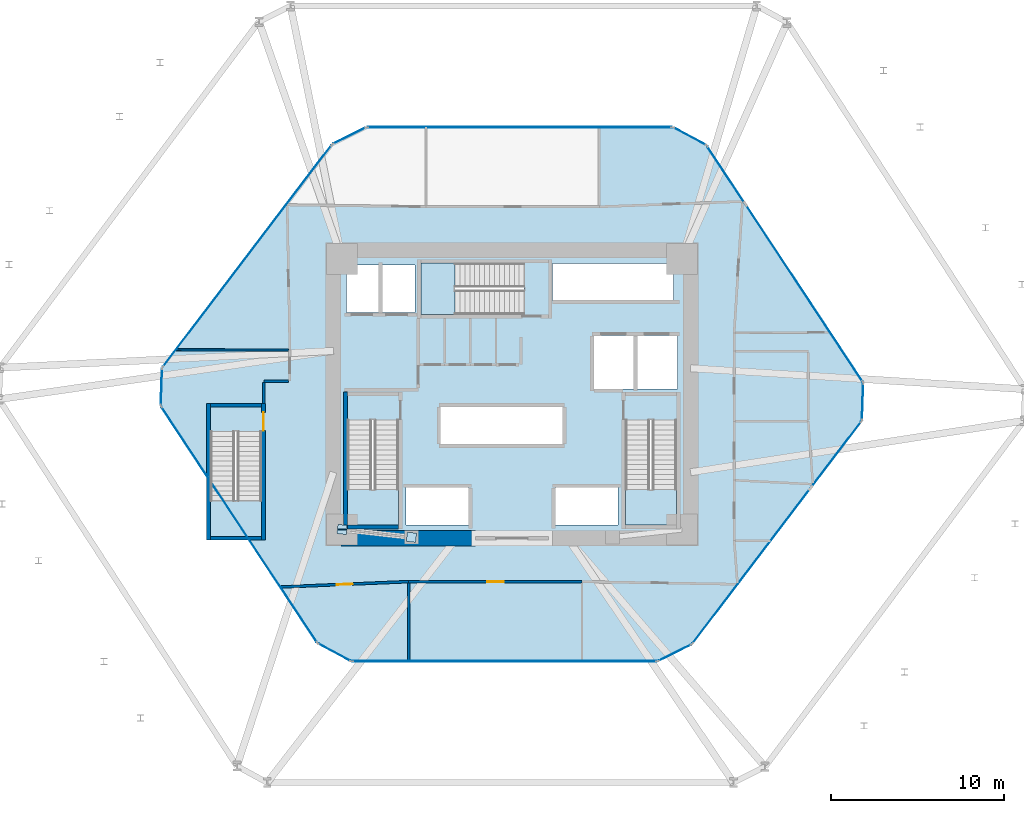
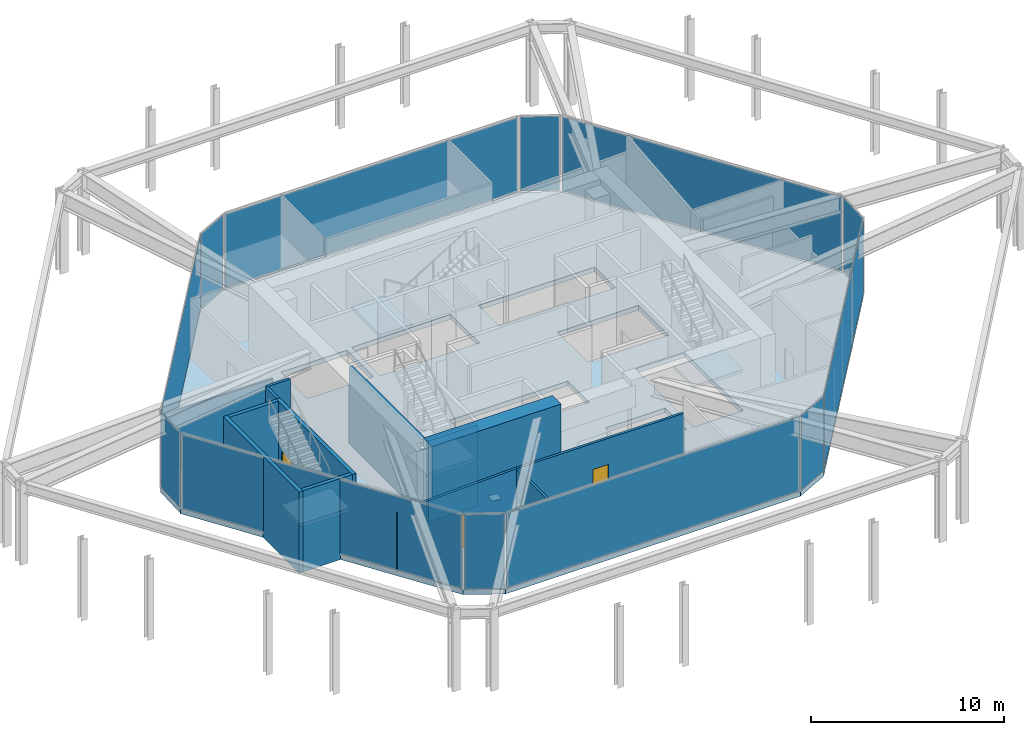
# One storey, part 12 of 16: 15 plates, 13 walls, 5 slabs, 3 doors, 3 openings, 16 elements without a shape of their own.
"""IFC4 building model written with IfcOpenShell, lengths in metres."""

from ifc_helpers import new_model, si_unit, direction, frame, frame_2d, origin, origin_2d, place, context, subcontext, project, spatial, polyline, rectangle, outline, extrude, source, transform, mapped, material, layer, layer_set, type_object, type_shapes, element, fill, aggregate, save


model = new_model("IFC4")

# Units and contexts
model_context = context("Model", 3, precision=1e-05, world=origin(), true_north=direction((0.0, 1.0)))
body_context = subcontext(model_context, "Body", "Model", "MODEL_VIEW")
ifc_project = project(units=[si_unit("LENGTHUNIT", "METRE"), si_unit("AREAUNIT", "SQUARE_METRE"), si_unit("VOLUMEUNIT", "CUBIC_METRE"), si_unit("PLANEANGLEUNIT", "RADIAN"), si_unit("MASSUNIT", "GRAM", prefix="KILO")], contexts=[model_context])

# Site, building, storey
site_placement = place(None, origin())
site = spatial("IfcSite", under=ifc_project, at=site_placement, CompositionType="ELEMENT")
building_placement = place(site_placement, origin())
building = spatial("IfcBuilding", under=site, at=building_placement, Name="Durnholm Broadcast Tower", CompositionType="ELEMENT")
storey_placement = place(building_placement, frame((0.0, 0.0, 5.199951171875)))
storey = spatial("IfcBuildingStorey", under=building, at=storey_placement, Name="L01", CompositionType="ELEMENT", Elevation=5.199951171875)

# Slab
ifc_material_1 = material(Name="Concrete C50/60", Category="concrete")
ifc_layer_1 = layer(ifc_material_1, 0.300048828125)
ifc_layer_set_1 = layer_set([ifc_layer_1], Name="Concrete C50/60")
slab_type_1 = type_object("IfcSlabType", Name="SLAB-FLR-300", PredefinedType="FLOOR", material=ifc_layer_set_1)
slab_1_placement = place(storey_placement, frame((0.0, 0.0, -0.300048828125)))
element("IfcSlab", 1, at=slab_1_placement, inside=storey, type_object=slab_type_1, Name="L01 broadcast gallery mezzanine floor slab", PredefinedType="FLOOR", context=body_context, shape_type="SweptSolid", body=[
    extrude(outline(polyline([(-17.39990234375, -4.99951171875), (-17.39990234375, -2.14990234375), (-14.43994140625, -2.14990234375), (-14.43994140625, -8.199951171875), (-15.28662109375, -8.199951171875), (-11.220947265625, -14.357666015625), (-9.283447265625, -15.39990234375), (8.399658203125, -15.39990234375), (10.370849609375, -14.4228515625), (20.183349609375, -1.52587890625), (20.2568359375, 0.6728515625), (11.220947265625, 14.357666015625), (9.283447265625, 15.39990234375), (-8.399658203125, 15.39990234375), (-10.370849609375, 14.4228515625), (-20.183349609375, 1.52587890625), (-20.2568359375, -0.6728515625), (-17.39990234375, -4.99951171875)]), holes=[polyline([(-2.5, -5.35009765625), (-6.10009765625, -5.35009765625), (-6.10009765625, -7.550048828125), (-2.5, -7.550048828125), (-2.5, -5.35009765625)]), polyline([(6.10009765625, -5.35009765625), (2.5, -5.35009765625), (2.5, -7.550048828125), (6.10009765625, -7.550048828125), (6.10009765625, -5.35009765625)]), polyline([(-9.5, -7.550048828125), (-6.5400390625, -7.550048828125), (-6.5400390625, -1.5), (-9.5, -1.5), (-9.5, -7.550048828125)]), polyline([(6.5400390625, -7.550048828125), (9.5, -7.550048828125), (9.5, -1.5), (6.5400390625, -1.5), (6.5400390625, -7.550048828125)]), polyline([(2.949951171875, -0.699951171875), (-4.14990234375, -0.699951171875), (-4.14990234375, -2.89990234375), (2.949951171875, -2.89990234375), (2.949951171875, -0.699951171875)]), polyline([(9.550048828125, 3.39990234375), (4.699951171875, 3.39990234375), (4.699951171875, 0.300048828125), (9.550048828125, 0.300048828125), (9.550048828125, 3.39990234375)]), polyline([(-5.60009765625, 7.449951171875), (-9.550048828125, 7.449951171875), (-9.550048828125, 4.699951171875), (-5.60009765625, 4.699951171875), (-5.60009765625, 7.449951171875)]), polyline([(-5.25, 7.56005859375), (-5.25, 4.60009765625), (0.699951171875, 4.60009765625), (0.699951171875, 7.56005859375), (-5.25, 7.56005859375)]), polyline([(9.31005859375, 5.39990234375), (9.31005859375, 7.550048828125), (2.35009765625, 7.550048828125), (2.35009765625, 5.39990234375), (9.31005859375, 5.39990234375)])]), origin(), (0.0, 0.0, 1.0), 0.300048828125),
])

# Stair, slab
stair_type = type_object("IfcStairType", Name="STAIR-DL-30R1733", PredefinedType="HALF_TURN_STAIR", material=ifc_material_1)
stair_1_placement = place(storey_placement, origin())
stair_1 = element("IfcStair", 2, at=stair_1_placement, inside=storey, type_object=stair_type, Name="L01 ST-1", PredefinedType="HALF_TURN_STAIR")
ifc_layer_2 = layer(ifc_material_1, 0.199951171875)
ifc_layer_set_2 = layer_set([ifc_layer_2], Name="Concrete C50/60")
slab_type_2 = type_object("IfcSlabType", Name="SLAB-LND-200", PredefinedType="LANDING", material=ifc_layer_set_2)
slab_2_placement = place(storey_placement, frame((0.0, 0.0, 2.400146484375)))
slab_2 = element("IfcSlab", 3, at=slab_2_placement, type_object=slab_type_2, Name="ST-1 landing 1", PredefinedType="LANDING", context=body_context, shape_type="SweptSolid", body=[
    extrude(outline(polyline([(-9.5, -5.489990234375), (-9.5, -7.550048828125), (-6.5400390625, -7.550048828125), (-6.5400390625, -5.489990234375), (-9.5, -5.489990234375)])), origin(), (0.0, 0.0, 1.0), 0.199951171875),
])
aggregate(stair_1, [slab_2])

stair_2_placement = place(storey_placement, origin())
stair_2 = element("IfcStair", 4, at=stair_2_placement, inside=storey, type_object=stair_type, Name="L01 ST-2", PredefinedType="HALF_TURN_STAIR")
slab_3_placement = place(storey_placement, frame((0.0, 0.0, 2.400146484375)))
slab_3 = element("IfcSlab", 5, at=slab_3_placement, type_object=slab_type_2, Name="ST-2 landing 1", PredefinedType="LANDING", context=body_context, shape_type="SweptSolid", body=[
    extrude(outline(polyline([(6.5400390625, -5.489990234375), (6.5400390625, -7.550048828125), (9.5, -7.550048828125), (9.5, -5.489990234375), (6.5400390625, -5.489990234375)])), origin(), (0.0, 0.0, 1.0), 0.199951171875),
])
aggregate(stair_2, [slab_3])

stair_3_placement = place(storey_placement, origin())
stair_3 = element("IfcStair", 6, at=stair_3_placement, inside=storey, type_object=stair_type, Name="L01 ST-3", PredefinedType="HALF_TURN_STAIR")
slab_4_placement = place(storey_placement, frame((0.0, 0.0, 2.400146484375)))
slab_4 = element("IfcSlab", 7, at=slab_4_placement, type_object=slab_type_2, Name="ST-3 landing 1", PredefinedType="LANDING", context=body_context, shape_type="SweptSolid", body=[
    extrude(outline(polyline([(-3.2900390625, 7.56005859375), (-5.25, 7.56005859375), (-5.25, 4.60009765625), (-3.2900390625, 4.60009765625), (-3.2900390625, 7.56005859375)])), origin(), (0.0, 0.0, 1.0), 0.199951171875),
])
aggregate(stair_3, [slab_4])

stair_4_placement = place(storey_placement, origin())
stair_4 = element("IfcStair", 8, at=stair_4_placement, inside=storey, type_object=stair_type, Name="L01 ST-4", PredefinedType="HALF_TURN_STAIR")
slab_5_placement = place(storey_placement, frame((0.0, 0.0, 2.400146484375)))
slab_5 = element("IfcSlab", 9, at=slab_5_placement, type_object=slab_type_2, Name="ST-4 landing 1", PredefinedType="LANDING", context=body_context, shape_type="SweptSolid", body=[
    extrude(outline(polyline([(-17.39990234375, -6.139892578125), (-17.39990234375, -8.199951171875), (-14.43994140625, -8.199951171875), (-14.43994140625, -6.139892578125), (-17.39990234375, -6.139892578125)])), origin(), (0.0, 0.0, 1.0), 0.199951171875),
])
aggregate(stair_4, [slab_5])

# Plates
ifc_material_2 = material(Name="Steel ASTM A572 Grade 50", Category="steel")
ifc_layer_3 = layer(ifc_material_2, 0.044921875)
ifc_layer_set_3 = layer_set([ifc_layer_3], Name="Steel ASTM A572 Grade 50")
plate_type_1 = type_object("IfcPlateType", Name="PLT-KN-STIF", PredefinedType="SHEET", material=ifc_layer_set_3)
shared_shape_1 = source(origin(), body_context, "Body", "SweptSolid", [
    extrude(rectangle(XDim=0.419921875, YDim=0.050048828125, at=origin_2d()), origin(), (0.0, 0.0, 1.0), 0.419921875),
])
type_shapes(plate_type_1, [shared_shape_1])
plate_1_placement = place(storey_placement, frame((-9.800048828125, -7.800048828125, 4.47119140625), z_axis=(0.0, 0.0, 1.0), x_axis=(1.0, 0.0, 0.0)))
element("IfcPlate", 10, at=plate_1_placement, inside=storey, type_object=plate_type_1, Name="L01 gallery stringer brace core wall cast-in plate", ObjectType="GUSSET_PLATE", PredefinedType="USERDEFINED", context=body_context, shape_type="MappedRepresentation", body=[
    mapped(shared_shape_1, transform((0.0, 0.0, 0.0), x_axis=(1.0, 0.0, 0.0), y_axis=(0.0, 1.0, 0.0), z_axis=(0.0, 0.0, 1.0), scale=1.0)),
])
ifc_layer_4 = layer(ifc_material_2, 0.0400390625)
ifc_layer_set_4 = layer_set([ifc_layer_4], Name="Steel ASTM A572 Grade 50")
plate_type_2 = type_object("IfcPlateType", Name="PLT-KN-CAP", PredefinedType="USERDEFINED", material=ifc_layer_set_4)
shared_shape_2 = source(origin(), body_context, "Body", "SweptSolid", [
    extrude(rectangle(XDim=0.5400390625, YDim=0.5400390625, at=origin_2d()), origin(), (0.0, 0.0, 1.0), 0.0400390625),
])
type_shapes(plate_type_2, [shared_shape_2])
for number, where, z_axis, x_axis, name in (
    (11, (-5.800048828125, -8.25, 0.22998046875), (0.0, 0.0, 1.0), (-0.99372894862, 0.111815815852, 0.0), "L01 hollow section end cap plate STL-STG-L01-1 1"),
    (12, (-9.800048828125, -7.800048828125, 4.6611328125), (0.0, 0.0, 1.0), (-0.99372894862, 0.111815815852, 0.0), "L01 hollow section end cap plate STL-STG-L01-1 2"),
):
    element("IfcPlate", number, at=place(storey_placement, frame(where, z_axis=z_axis, x_axis=x_axis)), inside=storey, type_object=plate_type_2, Name=name, ObjectType="CAP_PLATE", PredefinedType="USERDEFINED", context=body_context, shape_type="MappedRepresentation", body=[
        mapped(shared_shape_2, transform((0.0, 0.0, 0.0), x_axis=(1.0, 0.0, 0.0), y_axis=(0.0, 1.0, 0.0), z_axis=(0.0, 0.0, 1.0), scale=1.0)),
    ])

# Curtain wall, plate
ifc_material_3 = material(Name="Aluminium and Solar Control IGU", Category="aluminium")
ifc_layer_5 = layer(ifc_material_3, 0.1650390625)
ifc_layer_set_5 = layer_set([ifc_layer_5], Name="Aluminium and Solar Control IGU")
curtain_wall_type_1 = type_object("IfcCurtainWallType", Name="CW-SYS-5", PredefinedType="NOTDEFINED", material=ifc_layer_set_5)
curtain_wall_1_placement = place(storey_placement, origin())
curtain_wall_1 = element("IfcCurtainWall", 13, at=curtain_wall_1_placement, inside=storey, type_object=curtain_wall_type_1, Name="L01 curtain wall CW-CORNER CW-L01-CRN-01", PredefinedType="NOTDEFINED")
ifc_material_4 = material(Name="Low-E Laminated Insulating Glass", Category="glass")
ifc_layer_6 = layer(ifc_material_4, 0.030029296875)
ifc_layer_set_6 = layer_set([ifc_layer_6], Name="Low-E Laminated Insulating Glass")
plate_type_3 = type_object("IfcPlateType", Name="CW-SYS-5-PNL", PredefinedType="CURTAIN_PANEL", material=ifc_layer_set_6)
shared_shape_3 = source(origin(), body_context, "Body", "SweptSolid", [
    extrude(rectangle(XDim=2.06982421875, YDim=0.030029296875, at=origin_2d()), origin(), (0.0, 0.0, 1.0), 4.719970703125),
])
plate_2_placement = place(storey_placement, frame((-20.22021484375, 0.426513671875, 0.06494140625), z_axis=(0.0, 0.0, 1.0), x_axis=(0.033410181794, 0.99944172404, 0.0)))
plate_2 = element("IfcPlate", 14, at=plate_2_placement, type_object=plate_type_3, Name="CW-CORNER panel 1.1", PredefinedType="CURTAIN_PANEL", context=body_context, shape_type="MappedRepresentation", body=[
    mapped(shared_shape_3, transform((0.0, 0.0, 0.0), x_axis=(1.0, 0.0, 0.0), y_axis=(0.0, 1.0, 0.0), z_axis=(0.0, 0.0, 1.0), scale=1.0)),
])
aggregate(curtain_wall_1, [plate_2])

curtain_wall_2_placement = place(storey_placement, origin())
curtain_wall_2 = element("IfcCurtainWall", 15, at=curtain_wall_2_placement, inside=storey, type_object=curtain_wall_type_1, Name="L01 curtain wall CW-CORNER CW-L01-CRN-07", PredefinedType="NOTDEFINED")
plate_3_placement = place(storey_placement, frame((20.22021484375, -0.426513671875, 0.06494140625), z_axis=(0.0, 0.0, 1.0), x_axis=(-0.033410181794, -0.99944172404, 0.0)))
plate_3 = element("IfcPlate", 16, at=plate_3_placement, type_object=plate_type_3, Name="CW-CORNER panel 1.1", PredefinedType="CURTAIN_PANEL", context=body_context, shape_type="MappedRepresentation", body=[
    mapped(shared_shape_3, transform((0.0, 0.0, 0.0), x_axis=(1.0, 0.0, 0.0), y_axis=(0.0, 1.0, 0.0), z_axis=(0.0, 0.0, 1.0), scale=1.0)),
])
aggregate(curtain_wall_2, [plate_3])

ifc_layer_7 = layer(ifc_material_3, 0.219970703125)
ifc_layer_set_7 = layer_set([ifc_layer_7], Name="Aluminium and Solar Control IGU")
curtain_wall_type_2 = type_object("IfcCurtainWallType", Name="CW-SYS-1", PredefinedType="NOTDEFINED", material=ifc_layer_set_7)
curtain_wall_3_placement = place(storey_placement, origin())
curtain_wall_3 = element("IfcCurtainWall", 17, at=curtain_wall_3_placement, inside=storey, type_object=curtain_wall_type_2, Name="L01 curtain wall CW-LOBBY CW-L01-F02", PredefinedType="NOTDEFINED")
ifc_layer_8 = layer(ifc_material_4, 0.035888671875)
ifc_layer_set_8 = layer_set([ifc_layer_8], Name="Low-E Laminated Insulating Glass")
plate_type_4 = type_object("IfcPlateType", Name="CW-SYS-1-PNL", PredefinedType="CURTAIN_PANEL", material=ifc_layer_set_8)
shared_shape_4 = source(origin(), body_context, "Body", "SweptSolid", [
    extrude(rectangle(XDim=16.0556640625, YDim=0.035888671875, at=origin_2d()), origin(), (0.0, 0.0, 1.0), 4.699951171875),
])
plate_4_placement = place(storey_placement, frame((-15.277099609375, 7.974365234375, 0.0751953125), z_axis=(0.0, 0.0, 1.0), x_axis=(0.605508748459, 0.795838649187, 0.0)))
plate_4 = element("IfcPlate", 18, at=plate_4_placement, type_object=plate_type_4, Name="CW-LOBBY panel 1.1", PredefinedType="CURTAIN_PANEL", context=body_context, shape_type="MappedRepresentation", body=[
    mapped(shared_shape_4, transform((0.0, 0.0, 0.0), x_axis=(1.0, 0.0, 0.0), y_axis=(0.0, 1.0, 0.0), z_axis=(0.0, 0.0, 1.0), scale=1.0)),
])
aggregate(curtain_wall_3, [plate_4])

curtain_wall_4_placement = place(storey_placement, origin())
curtain_wall_4 = element("IfcCurtainWall", 19, at=curtain_wall_4_placement, inside=storey, type_object=curtain_wall_type_2, Name="L01 curtain wall CW-LOBBY CW-L01-F08", PredefinedType="NOTDEFINED")
plate_5_placement = place(storey_placement, frame((15.277099609375, -7.974365234375, 0.0751953125), z_axis=(0.0, 0.0, 1.0), x_axis=(-0.605508748459, -0.795838649187, 0.0)))
plate_5 = element("IfcPlate", 20, at=plate_5_placement, type_object=plate_type_4, Name="CW-LOBBY panel 1.1", PredefinedType="CURTAIN_PANEL", context=body_context, shape_type="MappedRepresentation", body=[
    mapped(shared_shape_4, transform((0.0, 0.0, 0.0), x_axis=(1.0, 0.0, 0.0), y_axis=(0.0, 1.0, 0.0), z_axis=(0.0, 0.0, 1.0), scale=1.0)),
])
aggregate(curtain_wall_4, [plate_5])

curtain_wall_5_placement = place(storey_placement, origin())
curtain_wall_5 = element("IfcCurtainWall", 21, at=curtain_wall_5_placement, inside=storey, type_object=curtain_wall_type_1, Name="L01 curtain wall CW-CORNER CW-L01-CRN-03", PredefinedType="NOTDEFINED")
shared_shape_5 = source(origin(), body_context, "Body", "SweptSolid", [
    extrude(rectangle(XDim=2.070068359375, YDim=0.030029296875, at=origin_2d()), origin(), (0.0, 0.0, 1.0), 4.719970703125),
])
type_shapes(plate_type_3, [shared_shape_3, shared_shape_5])
plate_6_placement = place(storey_placement, frame((-9.38525390625, 14.911376953125, 0.06494140625), z_axis=(0.0, 0.0, 1.0), x_axis=(0.895958282939, 0.444138216362, 0.0)))
plate_6 = element("IfcPlate", 22, at=plate_6_placement, type_object=plate_type_3, Name="CW-CORNER panel 1.1", PredefinedType="CURTAIN_PANEL", context=body_context, shape_type="MappedRepresentation", body=[
    mapped(shared_shape_5, transform((0.0, 0.0, 0.0), x_axis=(1.0, 0.0, 0.0), y_axis=(0.0, 1.0, 0.0), z_axis=(0.0, 0.0, 1.0), scale=1.0)),
])
aggregate(curtain_wall_5, [plate_6])

curtain_wall_6_placement = place(storey_placement, origin())
curtain_wall_6 = element("IfcCurtainWall", 23, at=curtain_wall_6_placement, inside=storey, type_object=curtain_wall_type_1, Name="L01 curtain wall CW-CORNER CW-L01-CRN-05", PredefinedType="NOTDEFINED")
plate_7_placement = place(storey_placement, frame((10.252197265625, 14.87890625, 0.06494140625), z_axis=(0.0, 0.0, 1.0), x_axis=(0.880625763439, -0.473812478484, 0.0)))
plate_7 = element("IfcPlate", 24, at=plate_7_placement, type_object=plate_type_3, Name="CW-CORNER panel 1.1", PredefinedType="CURTAIN_PANEL", context=body_context, shape_type="MappedRepresentation", body=[
    mapped(shared_shape_5, transform((0.0, 0.0, 0.0), x_axis=(1.0, 0.0, 0.0), y_axis=(0.0, 1.0, 0.0), z_axis=(0.0, 0.0, 1.0), scale=1.0)),
])
aggregate(curtain_wall_6, [plate_7])

curtain_wall_7_placement = place(storey_placement, origin())
curtain_wall_7 = element("IfcCurtainWall", 25, at=curtain_wall_7_placement, inside=storey, type_object=curtain_wall_type_1, Name="L01 curtain wall CW-CORNER CW-L01-CRN-09", PredefinedType="NOTDEFINED")
plate_8_placement = place(storey_placement, frame((9.38525390625, -14.911376953125, 0.06494140625), z_axis=(0.0, 0.0, 1.0), x_axis=(-0.895958282939, -0.444138216362, 0.0)))
plate_8 = element("IfcPlate", 26, at=plate_8_placement, type_object=plate_type_3, Name="CW-CORNER panel 1.1", PredefinedType="CURTAIN_PANEL", context=body_context, shape_type="MappedRepresentation", body=[
    mapped(shared_shape_5, transform((0.0, 0.0, 0.0), x_axis=(1.0, 0.0, 0.0), y_axis=(0.0, 1.0, 0.0), z_axis=(0.0, 0.0, 1.0), scale=1.0)),
])
aggregate(curtain_wall_7, [plate_8])

curtain_wall_8_placement = place(storey_placement, origin())
curtain_wall_8 = element("IfcCurtainWall", 27, at=curtain_wall_8_placement, inside=storey, type_object=curtain_wall_type_1, Name="L01 curtain wall CW-CORNER CW-L01-CRN-11", PredefinedType="NOTDEFINED")
plate_9_placement = place(storey_placement, frame((-10.252197265625, -14.87890625, 0.06494140625), z_axis=(0.0, 0.0, 1.0), x_axis=(-0.880625763439, 0.473812478484, 0.0)))
plate_9 = element("IfcPlate", 28, at=plate_9_placement, type_object=plate_type_3, Name="CW-CORNER panel 1.1", PredefinedType="CURTAIN_PANEL", context=body_context, shape_type="MappedRepresentation", body=[
    mapped(shared_shape_5, transform((0.0, 0.0, 0.0), x_axis=(1.0, 0.0, 0.0), y_axis=(0.0, 1.0, 0.0), z_axis=(0.0, 0.0, 1.0), scale=1.0)),
])
aggregate(curtain_wall_8, [plate_9])

curtain_wall_9_placement = place(storey_placement, origin())
curtain_wall_9 = element("IfcCurtainWall", 29, at=curtain_wall_9_placement, inside=storey, type_object=curtain_wall_type_2, Name="L01 curtain wall CW-LOBBY CW-L01-F04", PredefinedType="NOTDEFINED")
shared_shape_6 = source(origin(), body_context, "Body", "SweptSolid", [
    extrude(rectangle(XDim=17.533203125, YDim=0.035888671875, at=origin_2d()), origin(), (0.0, 0.0, 1.0), 4.699951171875),
])
plate_10_placement = place(storey_placement, frame((0.44189453125, 15.39990234375, 0.0751953125), z_axis=(0.0, 0.0, 1.0), x_axis=(1.0, 0.0, 0.0)))
plate_10 = element("IfcPlate", 30, at=plate_10_placement, type_object=plate_type_4, Name="CW-LOBBY panel 1.1", PredefinedType="CURTAIN_PANEL", context=body_context, shape_type="MappedRepresentation", body=[
    mapped(shared_shape_6, transform((0.0, 0.0, 0.0), x_axis=(1.0, 0.0, 0.0), y_axis=(0.0, 1.0, 0.0), z_axis=(0.0, 0.0, 1.0), scale=1.0)),
])
aggregate(curtain_wall_9, [plate_10])

curtain_wall_10_placement = place(storey_placement, origin())
curtain_wall_10 = element("IfcCurtainWall", 31, at=curtain_wall_10_placement, inside=storey, type_object=curtain_wall_type_2, Name="L01 curtain wall CW-LOBBY CW-L01-F10", PredefinedType="NOTDEFINED")
plate_11_placement = place(storey_placement, frame((-0.44189453125, -15.39990234375, 0.0751953125), z_axis=(0.0, 0.0, 1.0), x_axis=(-1.0, 0.0, 0.0)))
plate_11 = element("IfcPlate", 32, at=plate_11_placement, type_object=plate_type_4, Name="CW-LOBBY panel 1.1", PredefinedType="CURTAIN_PANEL", context=body_context, shape_type="MappedRepresentation", body=[
    mapped(shared_shape_6, transform((0.0, 0.0, 0.0), x_axis=(1.0, 0.0, 0.0), y_axis=(0.0, 1.0, 0.0), z_axis=(0.0, 0.0, 1.0), scale=1.0)),
])
aggregate(curtain_wall_10, [plate_11])

curtain_wall_11_placement = place(storey_placement, origin())
curtain_wall_11 = element("IfcCurtainWall", 33, at=curtain_wall_11_placement, inside=storey, type_object=curtain_wall_type_2, Name="L01 curtain wall CW-LOBBY CW-L01-F06", PredefinedType="NOTDEFINED")
shared_shape_7 = source(origin(), body_context, "Body", "SweptSolid", [
    extrude(rectangle(XDim=16.248779296875, YDim=0.035888671875, at=origin_2d()), origin(), (0.0, 0.0, 1.0), 4.699951171875),
])
type_shapes(plate_type_4, [shared_shape_4, shared_shape_6, shared_shape_7])
plate_12_placement = place(storey_placement, frame((15.739013671875, 7.51513671875, 0.0751953125), z_axis=(0.0, 0.0, 1.0), x_axis=(0.551013463483, -0.834496352934, 0.0)))
plate_12 = element("IfcPlate", 34, at=plate_12_placement, type_object=plate_type_4, Name="CW-LOBBY panel 1.1", PredefinedType="CURTAIN_PANEL", context=body_context, shape_type="MappedRepresentation", body=[
    mapped(shared_shape_7, transform((0.0, 0.0, 0.0), x_axis=(1.0, 0.0, 0.0), y_axis=(0.0, 1.0, 0.0), z_axis=(0.0, 0.0, 1.0), scale=1.0)),
])
aggregate(curtain_wall_11, [plate_12])

curtain_wall_12_placement = place(storey_placement, origin())
curtain_wall_12 = element("IfcCurtainWall", 35, at=curtain_wall_12_placement, inside=storey, type_object=curtain_wall_type_2, Name="L01 curtain wall CW-LOBBY CW-L01-F12", PredefinedType="NOTDEFINED")
plate_13_placement = place(storey_placement, frame((-15.739013671875, -7.51513671875, 0.0751953125), z_axis=(0.0, 0.0, 1.0), x_axis=(-0.551013463483, 0.834496352934, 0.0)))
plate_13 = element("IfcPlate", 36, at=plate_13_placement, type_object=plate_type_4, Name="CW-LOBBY panel 1.1", PredefinedType="CURTAIN_PANEL", context=body_context, shape_type="MappedRepresentation", body=[
    mapped(shared_shape_7, transform((0.0, 0.0, 0.0), x_axis=(1.0, 0.0, 0.0), y_axis=(0.0, 1.0, 0.0), z_axis=(0.0, 0.0, 1.0), scale=1.0)),
])
aggregate(curtain_wall_12, [plate_13])

# Walls
ifc_material_5 = material(Name="Concrete C70/85", Category="concrete")
ifc_layer_9 = layer(ifc_material_5, 0.89990234375)
ifc_layer_set_9 = layer_set([ifc_layer_9], Name="Concrete C70/85")
wall_type_1 = type_object("IfcWallType", Name="WALL-CW-900", PredefinedType="SHEAR", material=ifc_layer_set_9)
wall_1_placement = place(storey_placement, frame((-9.85009765625, -8.300048828125, 0.0), z_axis=(0.0, 0.0, 1.0), x_axis=(1.0, 0.0, 0.0)))
element("IfcWall", 37, at=wall_1_placement, inside=storey, type_object=wall_type_1, Name="L01 central core shear wall CW-S1", PredefinedType="SHEAR", context=body_context, shape_type="SweptSolid", body=[
    extrude(rectangle(XDim=7.75, YDim=0.89990234375, at=frame_2d((3.875, 0.0))), origin(), (0.0, 0.0, 1.0), 5.199951171875),
])
ifc_material_6 = material(Name="Operable Acoustic Panel Partition", Category="aluminium")
ifc_layer_10 = layer(ifc_material_6, 0.110107421875)
ifc_layer_set_10 = layer_set([ifc_layer_10], Name="Operable Acoustic Panel Partition")
wall_type_2 = type_object("IfcWallType", Name="WALL-MOV-110", PredefinedType="MOVABLE", material=ifc_layer_set_10)
wall_2_placement = place(storey_placement, frame((-19.393310546875, 2.564208984375, 0.0), z_axis=(0.0, 0.0, 1.0), x_axis=(0.999993231698, -0.003679206214, 0.0)))
element("IfcWall", 38, at=wall_2_placement, inside=storey, type_object=wall_type_2, Name="L01 room dividing partition 14.15", PredefinedType="MOVABLE", context=body_context, shape_type="SweptSolid", body=[
    extrude(rectangle(XDim=6.5029296875, YDim=0.110107421875, at=frame_2d((3.25146484375, 0.0))), origin(), (0.0, 0.0, 1.0), 3.757080078125),
])
ifc_material_7 = material(Name="Gypsum Metal Stud Partition", Category="concrete")
ifc_layer_11 = layer(ifc_material_7, 0.135009765625)
ifc_layer_set_11 = layer_set([ifc_layer_11], Name="Gypsum Metal Stud Partition")
wall_type_3 = type_object("IfcWallType", Name="WALL-PART-135", PredefinedType="PARTITIONING", material=ifc_layer_set_11)
wall_3_placement = place(storey_placement, frame((-5.9599609375, -10.88916015625, 0.0), z_axis=(0.0, 0.0, 1.0), x_axis=(0.0, -1.0, 0.0)))
element("IfcWall", 39, at=wall_3_placement, inside=storey, type_object=wall_type_3, Name="L01 room dividing partition 11.12", PredefinedType="PARTITIONING", context=body_context, shape_type="SweptSolid", body=[
    extrude(rectangle(XDim=4.5107421875, YDim=0.135009765625, at=frame_2d((2.25537109375, 0.0))), origin(), (0.0, 0.0, 1.0), 3.757080078125),
])

# Wall, opening, door
ifc_material_8 = material(Name="Acoustic Gypsum Stud Partition", Category="concrete")
ifc_layer_12 = layer(ifc_material_8, 0.14990234375)
ifc_layer_set_12 = layer_set([ifc_layer_12], Name="Acoustic Gypsum Stud Partition")
wall_type_4 = type_object("IfcWallType", Name="WALL-PART-150", PredefinedType="PARTITIONING", material=ifc_layer_set_12)
wall_4_placement = place(storey_placement, frame((-13.35888671875, -11.11962890625, 0.0), z_axis=(0.0, 0.0, 1.0), x_axis=(0.999125858918, 0.041803325715, 0.0)))
wall_4 = element("IfcWall", 40, at=wall_4_placement, inside=storey, type_object=wall_type_4, Name="L01 Public Relations Office corridor partition", PredefinedType="PARTITIONING", context=body_context, shape_type="SweptSolid", body=[
    extrude(rectangle(XDim=7.405517578125, YDim=0.14990234375, at=frame_2d((3.70263671875, 0.0))), origin(), (0.0, 0.0, 1.0), 3.757080078125),
])
opening_1_placement = place(wall_4_placement, frame((3.24267578125, 0.0, 0.0)))
opening_1 = element("IfcOpeningElement", 41, at=opening_1_placement, cuts=wall_4, Name="Opening DR-92R", PredefinedType="OPENING", context=body_context, shape_type="SweptSolid", body=[
    extrude(rectangle(XDim=0.919921875, YDim=2.10009765625, at=frame_2d((0.4599609375, 1.050048828125))), frame((0.0, 0.0849609375, 0.0), z_axis=(0.0, -1.0, 0.0), x_axis=(1.0, 0.0, 0.0)), (0.0, 0.0, 1.0), 0.169921875),
])
ifc_material_9 = material(Name="Oak Veneer Office Door", Category="wood")
ifc_layer_13 = layer(ifc_material_9, 0.050048828125)
ifc_layer_set_13 = layer_set([ifc_layer_13], Name="Oak Veneer Office Door")
door_type_1 = type_object("IfcDoorType", Name="DOOR-RM-920R", OperationType="NOTDEFINED", PredefinedType="DOOR", material=ifc_layer_set_13)
shared_shape_8 = source(origin(), body_context, "Body", "SweptSolid", [
    extrude(rectangle(XDim=0.919921875, YDim=2.10009765625, at=frame_2d((0.4599609375, 1.050048828125))), frame((0.0, 0.02490234375, 0.0), z_axis=(0.0, -1.0, 0.0), x_axis=(1.0, 0.0, 0.0)), (0.0, 0.0, 1.0), 0.050048828125),
])
type_shapes(door_type_1, [shared_shape_8])
door_1_placement = place(opening_1_placement, origin())
door_1 = element("IfcDoor", 42, at=door_1_placement, inside=storey, type_object=door_type_1, Name="L01 Public Relations Office entrance door", OperationType="SINGLE_SWING_RIGHT", OverallHeight=2.10009765625, OverallWidth=0.919921875, PredefinedType="DOOR", context=body_context, shape_type="MappedRepresentation", body=[
    mapped(shared_shape_8, transform((0.0, 0.0, 0.0), x_axis=(1.0, 0.0, 0.0), y_axis=(0.0, 1.0, 0.0), z_axis=(0.0, 0.0, 1.0), scale=1.0)),
])
fill(opening_1, door_1)

wall_5_placement = place(storey_placement, frame((-5.9599609375, -10.81005859375, 0.0), z_axis=(0.0, 0.0, 1.0), x_axis=(1.0, 0.0, 0.0)))
wall_5 = element("IfcWall", 43, at=wall_5_placement, inside=storey, type_object=wall_type_4, Name="L01 Studio Security Office corridor partition", PredefinedType="PARTITIONING", context=body_context, shape_type="SweptSolid", body=[
    extrude(rectangle(XDim=10.0, YDim=0.14990234375, at=frame_2d((5.0, 0.0))), origin(), (0.0, 0.0, 1.0), 3.757080078125),
])
opening_2_placement = place(wall_5_placement, frame((4.52490234375, 0.0, 0.0)))
opening_2 = element("IfcOpeningElement", 44, at=opening_2_placement, cuts=wall_5, Name="Opening DR-95L", PredefinedType="OPENING", context=body_context, shape_type="SweptSolid", body=[
    extrude(rectangle(XDim=0.949951171875, YDim=2.10009765625, at=frame_2d((0.47509765625, 1.050048828125))), frame((0.0, 0.0849609375, 0.0), z_axis=(0.0, -1.0, 0.0), x_axis=(1.0, 0.0, 0.0)), (0.0, 0.0, 1.0), 0.169921875),
])
ifc_material_10 = material(Name="Acoustic Oak Veneer Timber Door", Category="wood")
ifc_layer_14 = layer(ifc_material_10, 0.050048828125)
ifc_layer_set_14 = layer_set([ifc_layer_14], Name="Acoustic Oak Veneer Timber Door")
door_type_2 = type_object("IfcDoorType", Name="DOOR-RM-950L", OperationType="NOTDEFINED", PredefinedType="DOOR", material=ifc_layer_set_14)
shared_shape_9 = source(origin(), body_context, "Body", "SweptSolid", [
    extrude(rectangle(XDim=0.949951171875, YDim=2.10009765625, at=frame_2d((0.47509765625, 1.050048828125))), frame((0.0, 0.02490234375, 0.0), z_axis=(0.0, -1.0, 0.0), x_axis=(1.0, 0.0, 0.0)), (0.0, 0.0, 1.0), 0.050048828125),
])
type_shapes(door_type_2, [shared_shape_9])
door_2_placement = place(opening_2_placement, origin())
door_2 = element("IfcDoor", 45, at=door_2_placement, inside=storey, type_object=door_type_2, Name="L01 Studio Security Office entrance door", OperationType="SINGLE_SWING_LEFT", OverallHeight=2.10009765625, OverallWidth=0.949951171875, PredefinedType="DOOR", context=body_context, shape_type="MappedRepresentation", body=[
    mapped(shared_shape_9, transform((0.0, 0.0, 0.0), x_axis=(1.0, 0.0, 0.0), y_axis=(0.0, 1.0, 0.0), z_axis=(0.0, 0.0, 1.0), scale=1.0)),
])
fill(opening_2, door_2)

# Walls
wall_6_placement = place(storey_placement, frame((-12.888916015625, 0.760009765625, 0.0), z_axis=(0.0, 0.0, 1.0), x_axis=(-1.0, 0.0, 0.0)))
element("IfcWall", 46, at=wall_6_placement, inside=storey, type_object=wall_type_4, Name="L01 Mezzanine Broadcast Hall corridor partition", PredefinedType="PARTITIONING", context=body_context, shape_type="SweptSolid", body=[
    extrude(rectangle(XDim=1.421142578125, YDim=0.14990234375, at=frame_2d((0.71044921875, 0.0))), origin(), (0.0, 0.0, 1.0), 4.8349609375),
])
wall_7_placement = place(storey_placement, frame((-14.31005859375, 0.680908203125, 0.0), z_axis=(0.0, 0.0, 1.0), x_axis=(0.0, -1.0, 0.0)))
element("IfcWall", 47, at=wall_7_placement, inside=storey, type_object=wall_type_4, Name="L01 Mezzanine Broadcast Hall corridor partition", PredefinedType="PARTITIONING", context=body_context, shape_type="SweptSolid", body=[
    extrude(rectangle(XDim=1.2109375, YDim=0.14990234375, at=frame_2d((0.60546875, 0.0))), origin(), (0.0, 0.0, 1.0), 4.8349609375),
])
ifc_layer_15 = layer(ifc_material_1, 0.219970703125)
ifc_layer_set_15 = layer_set([ifc_layer_15], Name="Concrete C50/60")
wall_type_5 = type_object("IfcWallType", Name="WALL-SW-220", PredefinedType="SHEAR", material=ifc_layer_set_15)
wall_8_placement = place(storey_placement, frame((-9.610107421875, 0.1201171875, -0.300048828125), z_axis=(0.0, 0.0, 1.0), x_axis=(0.0, -1.0, 0.0)))
element("IfcWall", 48, at=wall_8_placement, inside=storey, type_object=wall_type_5, Name="L01 stair ST-1 structural shaft wall W", PredefinedType="SHEAR", context=body_context, shape_type="SweptSolid", body=[
    extrude(rectangle(XDim=7.89013671875, YDim=0.219970703125, at=frame_2d((3.945068359375, 0.0))), origin(), (0.0, 0.0, 1.0), 5.150146484375),
])
wall_9_placement = place(storey_placement, frame((-9.5, -7.659912109375, -0.300048828125), z_axis=(0.0, 0.0, 1.0), x_axis=(1.0, 0.0, 0.0)))
element("IfcWall", 49, at=wall_9_placement, inside=storey, type_object=wall_type_5, Name="L01 stair ST-1 structural shaft wall S", PredefinedType="SHEAR", context=body_context, shape_type="SweptSolid", body=[
    extrude(rectangle(XDim=2.9599609375, YDim=0.219970703125, at=frame_2d((1.47998046875, 0.0))), origin(), (0.0, 0.0, 1.0), 5.150146484375),
])

# Wall, opening, door
wall_10_placement = place(storey_placement, frame((-14.330078125, -8.419921875, -0.300048828125), z_axis=(0.0, 0.0, 1.0), x_axis=(0.0, 1.0, 0.0)))
wall_10 = element("IfcWall", 50, at=wall_10_placement, inside=storey, type_object=wall_type_5, Name="L01 stair ST-4 structural shaft wall E", PredefinedType="SHEAR", context=body_context, shape_type="SweptSolid", body=[
    extrude(rectangle(XDim=7.889892578125, YDim=0.219970703125, at=frame_2d((3.94482421875, 0.0))), origin(), (0.0, 0.0, 1.0), 5.150146484375),
])
opening_3_placement = place(wall_10_placement, frame((6.320068359375, 0.0, 0.0)))
opening_3 = element("IfcOpeningElement", 51, at=opening_3_placement, cuts=wall_10, Name="Opening DS-90R", PredefinedType="OPENING", context=body_context, shape_type="SweptSolid", body=[
    extrude(rectangle(XDim=1.050048828125, YDim=2.14990234375, at=frame_2d((0.52490234375, 1.074951171875))), frame((0.0, 0.1201171875, 0.0), z_axis=(0.0, -1.0, 0.0), x_axis=(1.0, 0.0, 0.0)), (0.0, 0.0, 1.0), 0.239990234375),
])
ifc_material_11 = material(Name="Fire-Rated Steel Door", Category="steel")
ifc_layer_16 = layer(ifc_material_11, 0.050048828125)
ifc_layer_set_16 = layer_set([ifc_layer_16], Name="Fire-Rated Steel Door")
door_type_3 = type_object("IfcDoorType", Name="DOOR-ST-FD90-R", OperationType="NOTDEFINED", PredefinedType="DOOR", material=ifc_layer_set_16)
shared_shape_10 = source(origin(), body_context, "Body", "SweptSolid", [
    extrude(rectangle(XDim=1.050048828125, YDim=2.14990234375, at=frame_2d((0.52490234375, 1.074951171875))), frame((0.0, 0.02490234375, 0.0), z_axis=(0.0, -1.0, 0.0), x_axis=(1.0, 0.0, 0.0)), (0.0, 0.0, 1.0), 0.050048828125),
])
type_shapes(door_type_3, [shared_shape_10])
door_3_placement = place(opening_3_placement, origin())
door_3 = element("IfcDoor", 52, at=door_3_placement, inside=storey, type_object=door_type_3, Name="L01 podium stair ST-4 fire door", OperationType="SINGLE_SWING_RIGHT", OverallHeight=2.14990234375, OverallWidth=1.050048828125, PredefinedType="DOOR", context=body_context, shape_type="MappedRepresentation", body=[
    mapped(shared_shape_10, transform((0.0, 0.0, 0.0), x_axis=(1.0, 0.0, 0.0), y_axis=(0.0, 1.0, 0.0), z_axis=(0.0, 0.0, 1.0), scale=1.0)),
])
fill(opening_3, door_3)

# Walls
wall_11_placement = place(storey_placement, frame((-17.510009765625, -0.530029296875, -0.300048828125), z_axis=(0.0, 0.0, 1.0), x_axis=(0.0, -1.0, 0.0)))
element("IfcWall", 53, at=wall_11_placement, inside=storey, type_object=wall_type_5, Name="L01 stair ST-4 structural shaft wall W", PredefinedType="SHEAR", context=body_context, shape_type="SweptSolid", body=[
    extrude(rectangle(XDim=7.889892578125, YDim=0.219970703125, at=frame_2d((3.94482421875, 0.0))), origin(), (0.0, 0.0, 1.0), 5.150146484375),
])
for number, where, z_axis, x_axis, name in (
    (54, (-17.39990234375, -8.31005859375, -0.300048828125), (0.0, 0.0, 1.0), (1.0, 0.0, 0.0), "L01 stair ST-4 structural shaft wall S"),
    (55, (-14.43994140625, -0.639892578125, -0.300048828125), (0.0, 0.0, 1.0), (-1.0, 0.0, 0.0), "L01 stair ST-4 structural shaft wall N"),
):
    element("IfcWall", number, at=place(storey_placement, frame(where, z_axis=z_axis, x_axis=x_axis)), inside=storey, type_object=wall_type_5, Name=name, PredefinedType="SHEAR", context=body_context, shape_type="SweptSolid", body=[
        extrude(rectangle(XDim=2.9599609375, YDim=0.219970703125, at=frame_2d((1.47998046875, 0.0))), origin(), (0.0, 0.0, 1.0), 5.150146484375),
    ])

save(model, "model.ifc")
